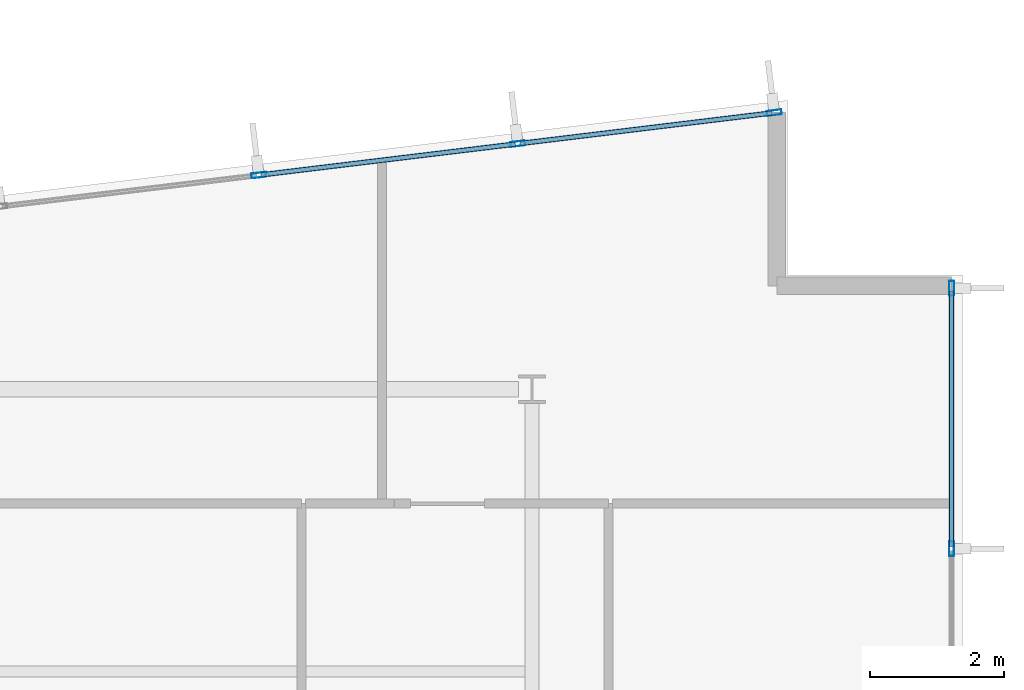
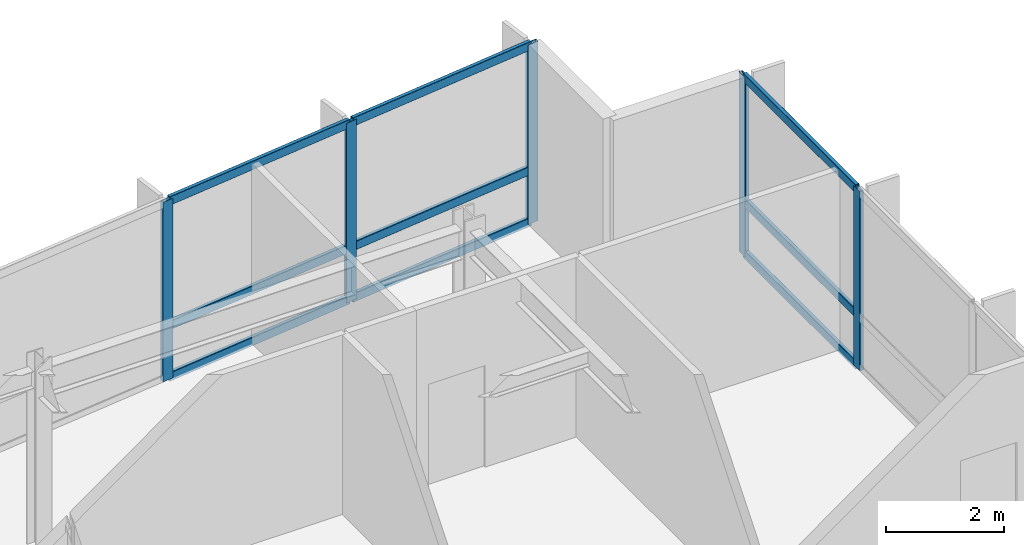
# One storey, part 8 of 17: 14 members, 2 elements without a shape of their own.
"""IFC4 building model written with IfcOpenShell, lengths in metres."""

from ifc_helpers import new_model, si_unit, direction, frame, origin, origin_2d, place, context, subcontext, project, spatial, hollow_rectangle, extrude, material, layer, layer_set, material_profile, profile_set, type_object, element, aggregate, save


model = new_model("IFC4")

# Units and contexts
model_context = context("Model", 3, precision=1e-05, world=origin(), true_north=direction((0.0, 1.0)))
body_context = subcontext(model_context, "Body", "Model", "MODEL_VIEW")
ifc_project = project(units=[si_unit("LENGTHUNIT", "METRE"), si_unit("AREAUNIT", "SQUARE_METRE"), si_unit("VOLUMEUNIT", "CUBIC_METRE"), si_unit("PLANEANGLEUNIT", "RADIAN"), si_unit("MASSUNIT", "GRAM", prefix="KILO")], contexts=[model_context])

# Site, building, storey
site_placement = place(None, origin())
site = spatial("IfcSite", under=ifc_project, at=site_placement, CompositionType="ELEMENT")
building_placement = place(site_placement, origin())
building = spatial("IfcBuilding", under=site, at=building_placement, Name="Varnakote Quay Hospital", CompositionType="ELEMENT")
storey_placement = place(building_placement, frame((0.0, 0.0, 127.050048828125)))
storey = spatial("IfcBuildingStorey", under=building, at=storey_placement, Name="L31", CompositionType="ELEMENT", Elevation=127.050048828125)

# Curtain wall, members
ifc_material_1 = material(Name="Anodised aluminium 6063-T6 Bronze", Category="aluminium")
ifc_layer = layer(ifc_material_1, 0.205078125)
ifc_layer_set = layer_set([ifc_layer], Name="Anodised aluminium 6063-T6 Bronze")
curtain_wall_type = type_object("IfcCurtainWallType", Name="CW-SYS-3", PredefinedType="NOTDEFINED", material=ifc_layer_set)
curtain_wall_1_placement = place(storey_placement, origin())
curtain_wall_1 = element("IfcCurtainWall", 1, at=curtain_wall_1_placement, inside=storey, type_object=curtain_wall_type, Name="L31 Unitised Bronze Curtain Wall 1", PredefinedType="NOTDEFINED")
ifc_material_2 = material(Name="Anodised aluminium 6063-T6 Bronze", Category="aluminium")
ifc_material_profile_1 = material_profile(ifc_material_2, hollow_rectangle(XDim=0.074951171875, YDim=0.219970703125, WallThickness=0.00439453125, InnerFilletRadius=0.00439453125, OuterFilletRadius=0.009033203125, at=origin_2d()), Name="CW-MULL-220x75")
ifc_profile_set_1 = profile_set([ifc_material_profile_1], Name="Anodised aluminium 6063-T6 Bronze")
member_type_1 = type_object("IfcMemberType", Name="CW-MULL-220x75", PredefinedType="MULLION", material=ifc_profile_set_1)
member_1_placement = place(storey_placement, frame((56.639892578125, 26.4267578125, 0.0), z_axis=(0.0, 0.0, 1.0), x_axis=(-1.0, 0.0, 0.0)))
member_1 = element("IfcMember", 2, at=member_1_placement, type_object=member_type_1, Name="-3-L31-1 mullion 6", PredefinedType="MULLION", context=body_context, shape_type="SweptSolid", body=[
    extrude(hollow_rectangle(XDim=0.074951171875, YDim=0.219970703125, WallThickness=0.00439453125, InnerFilletRadius=0.00439453125, OuterFilletRadius=0.009033203125, at=origin_2d()), origin(), (0.0, 0.0, 1.0), 3.7099609375),
])
member_2_placement = place(storey_placement, frame((56.639892578125, 30.302490234375, 0.0), z_axis=(0.0, 0.0, 1.0), x_axis=(-1.0, 0.0, 0.0)))
member_2 = element("IfcMember", 3, at=member_2_placement, type_object=member_type_1, Name="-3-L31-1 mullion 7", PredefinedType="MULLION", context=body_context, shape_type="SweptSolid", body=[
    extrude(hollow_rectangle(XDim=0.074951171875, YDim=0.219970703125, WallThickness=0.00439453125, InnerFilletRadius=0.00439453125, OuterFilletRadius=0.009033203125, at=origin_2d()), origin(), (0.0, 0.0, 1.0), 3.7099609375),
])

curtain_wall_2_placement = place(storey_placement, origin())
curtain_wall_2 = element("IfcCurtainWall", 4, at=curtain_wall_2_placement, inside=storey, type_object=curtain_wall_type, Name="L31 Unitised Bronze Curtain Wall 2", PredefinedType="NOTDEFINED")
member_3_placement = place(storey_placement, frame((54.002685546875, 32.914794921875, 0.0), z_axis=(0.0, 0.0, 1.0), x_axis=(0.12032713492, -0.992734295067, 0.0)))
member_3 = element("IfcMember", 5, at=member_3_placement, type_object=member_type_1, Name="-3-L31-2 mullion 1", PredefinedType="MULLION", context=body_context, shape_type="SweptSolid", body=[
    extrude(hollow_rectangle(XDim=0.074951171875, YDim=0.219970703125, WallThickness=0.00439453125, InnerFilletRadius=0.00439453125, OuterFilletRadius=0.009033203125, at=origin_2d()), origin(), (0.0, 0.0, 1.0), 3.7099609375),
])
member_4_placement = place(storey_placement, frame((50.1875, 32.452392578125, 0.0), z_axis=(0.0, 0.0, 1.0), x_axis=(0.12032713492, -0.992734295067, 0.0)))
member_4 = element("IfcMember", 6, at=member_4_placement, type_object=member_type_1, Name="-3-L31-2 mullion 2", PredefinedType="MULLION", context=body_context, shape_type="SweptSolid", body=[
    extrude(hollow_rectangle(XDim=0.074951171875, YDim=0.219970703125, WallThickness=0.00439453125, InnerFilletRadius=0.00439453125, OuterFilletRadius=0.009033203125, at=origin_2d()), origin(), (0.0, 0.0, 1.0), 3.7099609375),
])
member_5_placement = place(storey_placement, frame((46.3349609375, 31.985595703125, 0.0), z_axis=(0.0, 0.0, 1.0), x_axis=(0.12032713492, -0.992734295067, 0.0)))
member_5 = element("IfcMember", 7, at=member_5_placement, type_object=member_type_1, Name="-3-L31-2 mullion 3", PredefinedType="MULLION", context=body_context, shape_type="SweptSolid", body=[
    extrude(hollow_rectangle(XDim=0.074951171875, YDim=0.219970703125, WallThickness=0.00439453125, InnerFilletRadius=0.00439453125, OuterFilletRadius=0.009033203125, at=origin_2d()), origin(), (0.0, 0.0, 1.0), 3.7099609375),
])

# Member
ifc_material_3 = material(Name="Anodised aluminium 6063-T6 Bronze", Category="aluminium")
ifc_material_profile_2 = material_profile(ifc_material_3, hollow_rectangle(XDim=0.074951171875, YDim=0.179931640625, WallThickness=0.004150390625, InnerFilletRadius=0.004150390625, OuterFilletRadius=0.00830078125, at=origin_2d()), Name="CW-TRAN-180x75")
ifc_profile_set_2 = profile_set([ifc_material_profile_2], Name="Anodised aluminium 6063-T6 Bronze")
member_type_2 = type_object("IfcMemberType", Name="CW-TRAN-180x75", PredefinedType="USERDEFINED", material=ifc_profile_set_2)
member_6_placement = place(storey_placement, frame((56.639892578125, 26.464111328125, 0.037353515625), z_axis=(0.0, 1.0, 0.0), x_axis=(-1.0, 0.0, 0.0)))
member_6 = element("IfcMember", 8, at=member_6_placement, type_object=member_type_2, Name="-3-L31-1 transom 6.1", ObjectType="TRANSOM", PredefinedType="USERDEFINED", context=body_context, shape_type="SweptSolid", body=[
    extrude(hollow_rectangle(XDim=0.074951171875, YDim=0.179931640625, WallThickness=0.004150390625, InnerFilletRadius=0.004150390625, OuterFilletRadius=0.00830078125, at=origin_2d()), origin(), (0.0, 0.0, 1.0), 3.80078125),
])

member_7_placement = place(storey_placement, frame((56.639892578125, 26.464111328125, 1.099853515625), z_axis=(0.0, 1.0, 0.0), x_axis=(-1.0, 0.0, 0.0)))
member_7 = element("IfcMember", 9, at=member_7_placement, type_object=member_type_2, Name="-3-L31-1 transom 6.2", ObjectType="TRANSOM", PredefinedType="USERDEFINED", context=body_context, shape_type="SweptSolid", body=[
    extrude(hollow_rectangle(XDim=0.074951171875, YDim=0.179931640625, WallThickness=0.004150390625, InnerFilletRadius=0.004150390625, OuterFilletRadius=0.00830078125, at=origin_2d()), origin(), (0.0, 0.0, 1.0), 3.80078125),
])

member_8_placement = place(storey_placement, frame((56.639892578125, 26.464111328125, 3.67236328125), z_axis=(0.0, 1.0, 0.0), x_axis=(-1.0, 0.0, 0.0)))
member_8 = element("IfcMember", 10, at=member_8_placement, type_object=member_type_2, Name="-3-L31-1 transom 6.3", ObjectType="TRANSOM", PredefinedType="USERDEFINED", context=body_context, shape_type="SweptSolid", body=[
    extrude(hollow_rectangle(XDim=0.074951171875, YDim=0.179931640625, WallThickness=0.004150390625, InnerFilletRadius=0.004150390625, OuterFilletRadius=0.00830078125, at=origin_2d()), origin(), (0.0, 0.0, 1.0), 3.80078125),
])

aggregate(curtain_wall_1, [member_1, member_2, member_6, member_7, member_8])

member_9_placement = place(storey_placement, frame((53.965576171875, 32.910400390625, 0.037353515625), z_axis=(-0.992735423717, -0.120317822859, 0.0), x_axis=(0.120317822859, -0.992735423717, 0.0)))
member_9 = element("IfcMember", 11, at=member_9_placement, type_object=member_type_2, Name="-3-L31-2 transom 1.1", ObjectType="TRANSOM", PredefinedType="USERDEFINED", context=body_context, shape_type="SweptSolid", body=[
    extrude(hollow_rectangle(XDim=0.074951171875, YDim=0.179931640625, WallThickness=0.004150390625, InnerFilletRadius=0.004150390625, OuterFilletRadius=0.00830078125, at=origin_2d()), origin(), (0.0, 0.0, 1.0), 3.76806640625),
])

member_10_placement = place(storey_placement, frame((53.965576171875, 32.910400390625, 1.099853515625), z_axis=(-0.992735423717, -0.120317822859, 0.0), x_axis=(0.120317822859, -0.992735423717, 0.0)))
member_10 = element("IfcMember", 12, at=member_10_placement, type_object=member_type_2, Name="-3-L31-2 transom 1.2", ObjectType="TRANSOM", PredefinedType="USERDEFINED", context=body_context, shape_type="SweptSolid", body=[
    extrude(hollow_rectangle(XDim=0.074951171875, YDim=0.179931640625, WallThickness=0.004150390625, InnerFilletRadius=0.004150390625, OuterFilletRadius=0.00830078125, at=origin_2d()), origin(), (0.0, 0.0, 1.0), 3.76806640625),
])

member_11_placement = place(storey_placement, frame((53.965576171875, 32.910400390625, 3.67236328125), z_axis=(-0.992735423717, -0.120317822859, 0.0), x_axis=(0.120317822859, -0.992735423717, 0.0)))
member_11 = element("IfcMember", 13, at=member_11_placement, type_object=member_type_2, Name="-3-L31-2 transom 1.3", ObjectType="TRANSOM", PredefinedType="USERDEFINED", context=body_context, shape_type="SweptSolid", body=[
    extrude(hollow_rectangle(XDim=0.074951171875, YDim=0.179931640625, WallThickness=0.004150390625, InnerFilletRadius=0.004150390625, OuterFilletRadius=0.00830078125, at=origin_2d()), origin(), (0.0, 0.0, 1.0), 3.76806640625),
])

member_12_placement = place(storey_placement, frame((50.150390625, 32.447998046875, 0.037353515625), z_axis=(-0.992731924158, -0.120346694005, 0.0), x_axis=(0.120346694005, -0.992731924158, 0.0)))
member_12 = element("IfcMember", 14, at=member_12_placement, type_object=member_type_2, Name="-3-L31-2 transom 2.1", ObjectType="TRANSOM", PredefinedType="USERDEFINED", context=body_context, shape_type="SweptSolid", body=[
    extrude(hollow_rectangle(XDim=0.074951171875, YDim=0.179931640625, WallThickness=0.004150390625, InnerFilletRadius=0.004150390625, OuterFilletRadius=0.00830078125, at=origin_2d()), origin(), (0.0, 0.0, 1.0), 3.8056640625),
])

member_13_placement = place(storey_placement, frame((50.150390625, 32.447998046875, 1.099853515625), z_axis=(-0.992731924158, -0.120346694005, 0.0), x_axis=(0.120346694005, -0.992731924158, 0.0)))
member_13 = element("IfcMember", 15, at=member_13_placement, type_object=member_type_2, Name="-3-L31-2 transom 2.2", ObjectType="TRANSOM", PredefinedType="USERDEFINED", context=body_context, shape_type="SweptSolid", body=[
    extrude(hollow_rectangle(XDim=0.074951171875, YDim=0.179931640625, WallThickness=0.004150390625, InnerFilletRadius=0.004150390625, OuterFilletRadius=0.00830078125, at=origin_2d()), origin(), (0.0, 0.0, 1.0), 3.8056640625),
])

member_14_placement = place(storey_placement, frame((50.150390625, 32.447998046875, 3.67236328125), z_axis=(-0.992731924158, -0.120346694005, 0.0), x_axis=(0.120346694005, -0.992731924158, 0.0)))
member_14 = element("IfcMember", 16, at=member_14_placement, type_object=member_type_2, Name="-3-L31-2 transom 2.3", ObjectType="TRANSOM", PredefinedType="USERDEFINED", context=body_context, shape_type="SweptSolid", body=[
    extrude(hollow_rectangle(XDim=0.074951171875, YDim=0.179931640625, WallThickness=0.004150390625, InnerFilletRadius=0.004150390625, OuterFilletRadius=0.00830078125, at=origin_2d()), origin(), (0.0, 0.0, 1.0), 3.8056640625),
])

aggregate(curtain_wall_2, [member_3, member_4, member_5, member_9, member_10, member_11, member_12, member_13, member_14])

save(model, "model.ifc")
